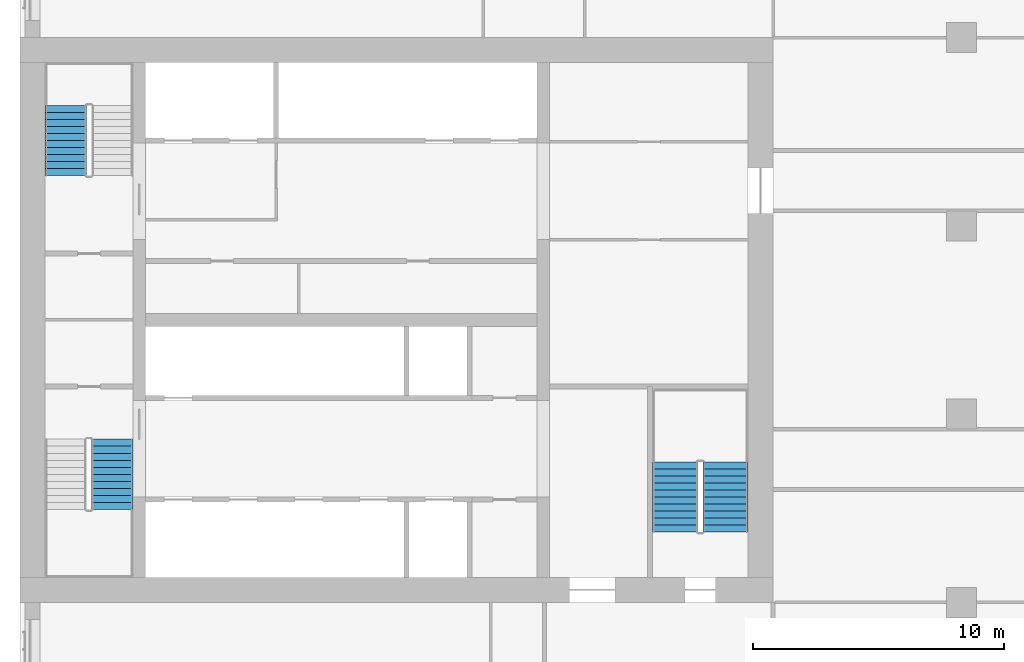
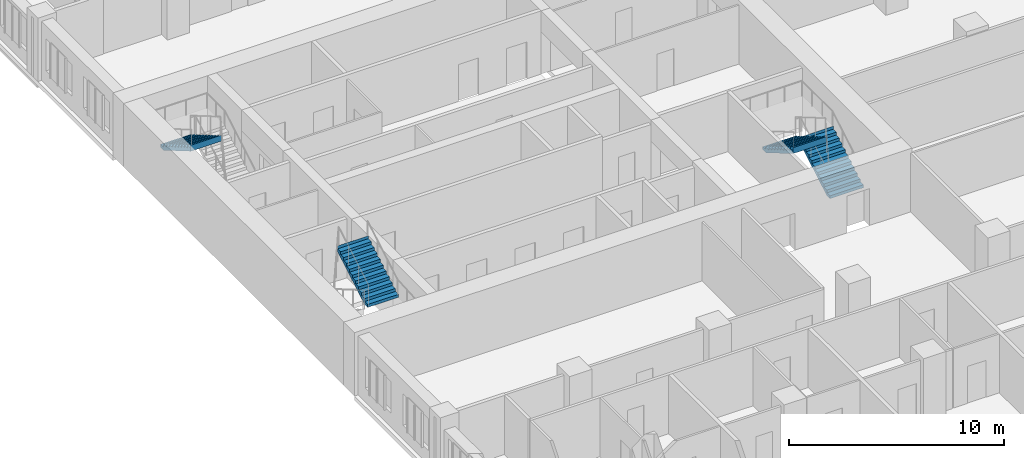
# One storey, part 12 of 14: 4 stair flights, 3 elements without a shape of their own.
"""IFC4 building model written with IfcOpenShell, lengths in metres."""

import ifcopenshell
import ifcopenshell.guid

model = None  # the IFC model being written
_history = None  # IfcOwnerHistory: only IFC2X3 demands one
_inside = {}  # id of a spatial element -> (the spatial element, [elements in it])
_under = {}  # id of a project, library or spatial element -> (it, [spatial elements below it])
_declared = {}  # id of a project -> (the project, [libraries it declares])
_typed = {}  # id of a type object -> (the type object, [elements of that type])
_made_of = {}  # id of a material, layer set ... -> (it, [elements and type objects made of it])


def new_model(schema):
    """Start an empty IFC model of exactly this schema.

    Asked for "IFC4X3", IfcOpenShell would pick the latest addendum, in which some entities
    have other attributes; the version numbers below select the first issue.
    IFC2X3 requires an IfcOwnerHistory on every rooted entity: one is made here for all.
    """
    global model, _history
    if schema == "IFC4X3":
        model = ifcopenshell.file(schema_version=(4, 3, 0, 0))
    else:
        model = ifcopenshell.file(schema=schema)
    _inside.clear()
    _under.clear()
    _declared.clear()
    _typed.clear()
    _made_of.clear()
    _history = None
    if model.schema == "IFC2X3":
        org = make("IfcOrganization", Name="unknown")
        user = make(
            "IfcPersonAndOrganization",
            ThePerson=make("IfcPerson", FamilyName="unknown"),
            TheOrganization=org,
        )
        app = make(
            "IfcApplication",
            ApplicationDeveloper=org,
            Version="unknown",
            ApplicationFullName="unknown",
            ApplicationIdentifier="unknown",
        )
        _history = make(
            "IfcOwnerHistory",
            OwningUser=user,
            OwningApplication=app,
            ChangeAction="ADDED",
            CreationDate=0,
        )
    return model


def make(cls, **values):
    """One entity of the class cls with the attributes given. An attribute that is None is left unset."""
    return model.create_entity(
        cls, **{name: value for name, value in values.items() if value is not None}
    )


def rooted(cls, **values):
    """An entity with a GlobalId (a new one), such as an element, a storey or a relation."""
    return make(cls, GlobalId=ifcopenshell.guid.new(), OwnerHistory=_history, **values)


def si_unit(unit_type, name, prefix=None):
    """IfcSIUnit, for example si_unit("LENGTHUNIT", "METRE", prefix="MILLI")."""
    return make("IfcSIUnit", UnitType=unit_type, Prefix=prefix, Name=name)


def assignment(units):
    """IfcUnitAssignment: the units of a project."""
    return None if units is None else make("IfcUnitAssignment", Units=units)


def point(xyz):
    """IfcCartesianPoint."""
    return None if xyz is None else make("IfcCartesianPoint", Coordinates=xyz)


def direction(xyz):
    """IfcDirection."""
    return None if xyz is None else make("IfcDirection", DirectionRatios=xyz)


def frame(location, z_axis=None, x_axis=None):
    """IfcAxis2Placement3D, a coordinate frame: its origin and axes. An axis left out is left unset."""
    return make(
        "IfcAxis2Placement3D",
        Location=point(location),
        Axis=direction(z_axis),
        RefDirection=direction(x_axis),
    )


def origin():
    """The frame at (0, 0, 0) with its axes left unset."""
    return frame((0.0, 0.0, 0.0))


def place(relative_to, where):
    """IfcLocalPlacement: puts the frame where relative to a parent placement (None: the world)."""
    return make(
        "IfcLocalPlacement", PlacementRelTo=relative_to, RelativePlacement=where
    )


def context(
    kind, dimensions, precision=None, world=None, true_north=None, identifier=None
):
    """IfcGeometricRepresentationContext, for example the 3D "Model" context."""
    return make(
        "IfcGeometricRepresentationContext",
        ContextIdentifier=identifier,
        ContextType=kind,
        CoordinateSpaceDimension=dimensions,
        Precision=precision,
        WorldCoordinateSystem=world,
        TrueNorth=true_north,
    )


def subcontext(parent, identifier, kind, view, scale=None):
    """IfcGeometricRepresentationSubContext, for example "Body" below "Model"."""
    return make(
        "IfcGeometricRepresentationSubContext",
        ContextIdentifier=identifier,
        ContextType=kind,
        ParentContext=parent,
        TargetScale=scale,
        TargetView=view,
    )


def project(units=None, contexts=None):
    """IfcProject with its units and contexts."""
    return rooted(
        "IfcProject",
        Name="project",
        RepresentationContexts=contexts,
        UnitsInContext=assignment(units),
    )


def spatial(cls, under=None, at=None, **own):
    """A site, building, storey or space (cls), placed at a placement, below another one or the project."""
    s = rooted(cls, ObjectPlacement=at, **own)
    if under is not None:
        _under.setdefault(under.id(), (under, []))[1].append(s)
    return s


def polyline(points):
    """IfcPolyline through the points."""
    return make("IfcPolyline", Points=[point(p) for p in points])


def outline(outer, holes=None, kind="AREA"):
    """IfcArbitraryClosedProfileDef: a profile drawn as a closed curve; with holes, ...WithVoids."""
    if holes is None:
        return make("IfcArbitraryClosedProfileDef", ProfileType=kind, OuterCurve=outer)
    return make(
        "IfcArbitraryProfileDefWithVoids",
        ProfileType=kind,
        OuterCurve=outer,
        InnerCurves=holes,
    )


def extrude(swept, where, along, depth):
    """IfcExtrudedAreaSolid: the profile swept, set in the frame where, extruded along a direction by depth."""
    return make(
        "IfcExtrudedAreaSolid",
        SweptArea=swept,
        Position=where,
        ExtrudedDirection=direction(along),
        Depth=depth,
    )


def shape(context_of_items, identifier, shape_type, items):
    """IfcShapeRepresentation: the items that make up one representation, for example the "Body"."""
    return make(
        "IfcShapeRepresentation",
        ContextOfItems=context_of_items,
        RepresentationIdentifier=identifier,
        RepresentationType=shape_type,
        Items=items,
    )


def material(Name=None, Category=None):
    """IfcMaterial."""
    return make("IfcMaterial", Name=Name, Category=Category)


def made_of(thing, what):
    """Note that an element or type object is made of a material, layer set ...; save() writes the relation."""
    if what is not None:
        _made_of.setdefault(what.id(), (what, []))[1].append(thing)
    return thing


def type_object(cls, material=None, **own):
    """A type object (cls), such as IfcWallType, which elements share."""
    return made_of(rooted(cls, **own), material)


def element(
    cls,
    number,
    at=None,
    inside=None,
    cuts=None,
    type_object=None,
    material=None,
    context=None,
    identifier="Body",
    shape_type=None,
    held_by="IfcProductDefinitionShape",
    body=None,
    shapes=None,
    **own,
):
    """One element of the class cls, such as IfcWall. Its Tag is "e" and its number.

    at: its placement. inside: the storey or other place that contains it. cuts: it is an
    opening in that element (IfcRelVoidsElement). A single representation is given by context,
    identifier, shape_type and body (its items); several are given by shapes. held_by: the class
    of the entity that holds the representations. save() writes the other relations.
    """
    e = rooted(cls, Tag="e%d" % number, ObjectPlacement=at, **own)
    if body is not None:
        shapes = [shape(context, identifier, shape_type, body)]
    if shapes is not None:
        e.Representation = make(held_by, Representations=shapes)
    if inside is not None:
        _inside.setdefault(inside.id(), (inside, []))[1].append(e)
    if cuts is not None:
        rooted(
            "IfcRelVoidsElement", RelatingBuildingElement=cuts, RelatedOpeningElement=e
        )
    if type_object is not None:
        _typed.setdefault(type_object.id(), (type_object, []))[1].append(e)
    return made_of(e, material)


def aggregate(whole, parts):
    """IfcRelAggregates: a whole, such as a stair, and the parts it consists of."""
    return rooted("IfcRelAggregates", RelatingObject=whole, RelatedObjects=parts)


def save(model, path):
    """Write the relations noted so far, then the file.

    IfcRelAggregates (storeys below a building ...), IfcRelContainedInSpatialStructure (elements
    in a storey), IfcRelDefinesByType, IfcRelAssociatesMaterial and IfcRelDeclares: one each for
    every whole, place, type object, material and project.
    """
    for whole, parts in _under.values():
        aggregate(whole, parts)
    for where, things in _inside.values():
        rooted(
            "IfcRelContainedInSpatialStructure",
            RelatedElements=things,
            RelatingStructure=where,
        )
    for kind, things in _typed.values():
        rooted("IfcRelDefinesByType", RelatedObjects=things, RelatingType=kind)
    for what, things in _made_of.values():
        rooted("IfcRelAssociatesMaterial", RelatedObjects=things, RelatingMaterial=what)
    for by, libraries in _declared.values():
        rooted("IfcRelDeclares", RelatingContext=by, RelatedDefinitions=libraries)
    model.write(path)


model = new_model("IFC4")

# Units and contexts
model_context = context("Model", 3, precision=1e-05, world=origin(), true_north=direction((0.0, 1.0)))
body_context = subcontext(model_context, "Body", "Model", "MODEL_VIEW")
ifc_project = project(units=[si_unit("LENGTHUNIT", "METRE"), si_unit("AREAUNIT", "SQUARE_METRE"), si_unit("VOLUMEUNIT", "CUBIC_METRE"), si_unit("PLANEANGLEUNIT", "RADIAN"), si_unit("MASSUNIT", "GRAM", prefix="KILO")], contexts=[model_context])

# Site, building, storey
site_placement = place(None, origin())
site = spatial("IfcSite", under=ifc_project, at=site_placement, CompositionType="ELEMENT")
building_placement = place(site_placement, origin())
building = spatial("IfcBuilding", under=site, at=building_placement, Name="Tamorin Gate", CompositionType="ELEMENT")
storey_placement = place(building_placement, frame((0.0, 0.0, 66.39990234375)))
storey = spatial("IfcBuildingStorey", under=building, at=storey_placement, Name="L15", CompositionType="ELEMENT", Elevation=66.39990234375)

# Stair, stair flight
ifc_material = material(Name="Concrete C40/50", Category="concrete")
stair_type = type_object("IfcStairType", Name="Exit stair", PredefinedType="HALF_TURN_STAIR", material=ifc_material)
stair_1_placement = place(storey_placement, origin())
stair_1 = element("IfcStair", 1, at=stair_1_placement, inside=storey, type_object=stair_type, Name="L15 stair ST1", PredefinedType="HALF_TURN_STAIR")
stair_flight_type = type_object("IfcStairFlightType", Name="Exit stair flight", PredefinedType="STRAIGHT", material=ifc_material)
stair_flight_1_placement = place(storey_placement, frame((33.675048828125, 63.699951171875, 1.800048828125), z_axis=(0.0, 0.0, 1.0), x_axis=(0.0, 1.0, 0.0)))
stair_flight_1 = element("IfcStairFlight", 2, at=stair_flight_1_placement, type_object=stair_flight_type, Name="ST1 flight 2", NumberOfRisers=11, NumberOfTreads=10, PredefinedType="STRAIGHT", RiserHeight=0.163636364, TreadLength=0.28, context=body_context, shape_type="SweptSolid", body=[
    extrude(outline(polyline([(-0.00048828125, 0.0), (-0.00048828125, 0.001708984375), (-0.00048828125, 0.003173828125), (-0.00048828125, 0.0048828125), (-0.00048828125, 0.006591796875), (-0.00048828125, 0.008056640625), (-0.00048828125, 0.009765625), (-0.00048828125, 0.01123046875), (-0.00048828125, 0.012939453125), (-0.00048828125, 0.0146484375), (-0.00048828125, 0.01611328125), (-0.00048828125, 0.017822265625), (-0.00048828125, 0.01953125), (-0.00048828125, 0.02099609375), (-0.00048828125, 0.022705078125), (-0.00048828125, 0.0244140625), (-0.00048828125, 0.02587890625), (-0.00048828125, 0.027587890625), (-0.00048828125, 0.029052734375), (-0.00048828125, 0.03076171875), (-0.00048828125, 0.032470703125), (-0.00048828125, 0.033935546875), (-0.00048828125, 0.03564453125), (-0.00048828125, 0.037353515625), (-0.00048828125, 0.038818359375), (-0.00048828125, 0.04052734375), (-0.00048828125, 0.042236328125), (-0.00048828125, 0.043701171875), (-0.00048828125, 0.04541015625), (-0.00048828125, 0.046875), (-0.00048828125, 0.048583984375), (-0.00048828125, 0.05029296875), (-0.00048828125, 0.0517578125), (-0.00048828125, 0.053466796875), (-0.00048828125, 0.05517578125), (-0.00048828125, 0.056640625), (-0.00048828125, 0.058349609375), (-0.00048828125, 0.06005859375), (-0.00048828125, 0.0615234375), (-0.00048828125, 0.063232421875), (-0.00048828125, 0.064697265625), (-0.00048828125, 0.06640625), (-0.00048828125, 0.068115234375), (-0.00048828125, 0.069580078125), (-0.00048828125, 0.0712890625), (-0.00048828125, 0.072998046875), (-0.00048828125, 0.074462890625), (-0.00048828125, 0.076171875), (-0.00048828125, 0.077880859375), (-0.00048828125, 0.079345703125), (-0.00048828125, 0.0810546875), (-0.00048828125, 0.08251953125), (-0.00048828125, 0.084228515625), (-0.00048828125, 0.0859375), (-0.00048828125, 0.08740234375), (-0.00048828125, 0.089111328125), (-0.00048828125, 0.0908203125), (-0.00048828125, 0.09228515625), (-0.00048828125, 0.093994140625), (-0.00048828125, 0.095703125), (-0.00048828125, 0.09716796875), (-0.00048828125, 0.098876953125), (-0.00048828125, 0.100341796875), (-0.00048828125, 0.10205078125), (-0.00048828125, 0.103759765625), (-0.00048828125, 0.105224609375), (-0.00048828125, 0.10693359375), (-0.00048828125, 0.108642578125), (-0.00048828125, 0.110107421875), (-0.00048828125, 0.11181640625), (-0.00048828125, 0.113525390625), (-0.00048828125, 0.114990234375), (-0.00048828125, 0.11669921875), (-0.00048828125, 0.1181640625), (-0.00048828125, 0.119873046875), (-0.00048828125, 0.12158203125), (-0.00048828125, 0.123046875), (-0.00048828125, 0.124755859375), (-0.00048828125, 0.12646484375), (-0.00048828125, 0.1279296875), (-0.00048828125, 0.129638671875), (-0.00048828125, 0.13134765625), (-0.00048828125, 0.1328125), (-0.00048828125, 0.134521484375), (-0.00048828125, 0.135986328125), (-0.00048828125, 0.1376953125), (-0.00048828125, 0.139404296875), (-0.00048828125, 0.140869140625), (-0.00048828125, 0.142578125), (-0.00048828125, 0.144287109375), (-0.00048828125, 0.145751953125), (-0.00048828125, 0.1474609375), (-0.00048828125, 0.149169921875), (-0.00048828125, 0.150634765625), (-0.00048828125, 0.15234375), (-0.00048828125, 0.15380859375), (-0.00048828125, 0.155517578125), (-0.00048828125, 0.1572265625), (-0.00048828125, 0.15869140625), (-0.00048828125, 0.160400390625), (-0.00048828125, 0.162109375), (-0.00048828125, 0.16357421875), (0.280029296875, 0.16357421875), (0.280029296875, 0.327392578125), (0.56005859375, 0.327392578125), (0.56005859375, 0.490966796875), (0.840087890625, 0.490966796875), (0.840087890625, 0.654541015625), (1.1201171875, 0.654541015625), (1.1201171875, 0.818115234375), (1.39990234375, 0.818115234375), (1.39990234375, 0.98193359375), (1.679931640625, 0.98193359375), (1.679931640625, 1.1455078125), (1.9599609375, 1.1455078125), (1.9599609375, 1.30908203125), (2.239990234375, 1.30908203125), (2.239990234375, 1.47265625), (2.52001953125, 1.47265625), (2.52001953125, 1.636474609375), (2.800048828125, 1.636474609375), (2.800048828125, 1.800048828125), (2.800537109375, 1.800048828125), (2.800537109375, 1.796630859375), (2.800537109375, 1.793212890625), (2.800537109375, 1.7900390625), (2.800537109375, 1.78662109375), (2.800537109375, 1.783203125), (2.800537109375, 1.780029296875), (2.800537109375, 1.776611328125), (2.800537109375, 1.773193359375), (2.800537109375, 1.77001953125), (2.800537109375, 1.7666015625), (2.800537109375, 1.76318359375), (2.800537109375, 1.760009765625), (2.800537109375, 1.756591796875), (2.800537109375, 1.753173828125), (2.800537109375, 1.75), (2.800537109375, 1.74658203125), (2.800537109375, 1.7431640625), (2.800537109375, 1.739990234375), (2.800537109375, 1.736572265625), (2.800537109375, 1.733154296875), (2.800537109375, 1.72998046875), (2.800537109375, 1.7265625), (2.800537109375, 1.72314453125), (2.800537109375, 1.719970703125), (2.800537109375, 1.716552734375), (2.800537109375, 1.713134765625), (2.800537109375, 1.7099609375), (2.800537109375, 1.70654296875), (2.800537109375, 1.703125), (2.800537109375, 1.69970703125), (2.800537109375, 1.696533203125), (2.800537109375, 1.693115234375), (2.800537109375, 1.689697265625), (2.800537109375, 1.6865234375), (2.800537109375, 1.68310546875), (2.800537109375, 1.6796875), (2.800537109375, 1.676513671875), (2.800537109375, 1.673095703125), (2.800537109375, 1.669677734375), (2.800537109375, 1.66650390625), (2.800537109375, 1.6630859375), (2.800537109375, 1.65966796875), (2.800537109375, 1.656494140625), (2.800537109375, 1.653076171875), (2.800537109375, 1.649658203125), (2.800537109375, 1.646484375), (2.800537109375, 1.64306640625), (2.800537109375, 1.6396484375), (2.800537109375, 1.636474609375), (2.800537109375, 1.633056640625), (2.800537109375, 1.629638671875), (2.800537109375, 1.62646484375), (2.800537109375, 1.623046875), (2.800537109375, 1.61962890625), (2.800537109375, 1.616455078125), (2.800537109375, 1.613037109375), (2.800537109375, 1.609619140625), (2.800537109375, 1.6064453125), (2.800537109375, 1.60302734375), (2.800537109375, 1.599609375), (2.800537109375, 1.59619140625), (2.800537109375, 1.593017578125), (2.800537109375, 1.589599609375), (2.800537109375, 1.586181640625), (2.800537109375, 1.5830078125), (2.800537109375, 1.57958984375), (2.800537109375, 1.576171875), (2.800537109375, 1.572998046875), (2.800537109375, 1.569580078125), (2.800537109375, 1.566162109375), (2.800537109375, 1.56298828125), (2.800537109375, 1.5595703125), (2.800537109375, 1.55615234375), (2.800537109375, 1.552978515625), (2.800537109375, 1.549560546875), (2.800537109375, 1.546142578125), (2.800537109375, 1.54296875), (2.800537109375, 1.53955078125), (2.800537109375, 1.5361328125), (2.800537109375, 1.532958984375), (2.800537109375, 1.529541015625), (2.800537109375, 1.526123046875), (2.800537109375, 1.52294921875), (2.800537109375, 1.51953125), (2.800537109375, 1.51611328125), (2.800537109375, 1.512939453125), (2.800537109375, 1.509521484375), (2.800537109375, 1.506103515625), (2.800537109375, 1.5029296875), (2.800537109375, 1.49951171875), (2.800537109375, 1.49609375), (2.800537109375, 1.49267578125), (2.800537109375, 1.489501953125), (2.800537109375, 1.486083984375), (2.800537109375, 1.482666015625), (2.800537109375, 1.4794921875), (2.800537109375, 1.47607421875), (2.800537109375, 1.47265625), (2.800537109375, 1.469482421875), (2.800537109375, 1.466064453125), (2.800537109375, 1.462646484375), (2.800048828125, 1.462646484375), (0.297119140625, 0.0), (-0.00048828125, 0.0)])), frame((0.0, 0.824951171875, 0.0), z_axis=(0.0, -1.0, 0.0), x_axis=(1.0, 0.0, 0.0)), (0.0, 0.0, 1.0), 1.64990234375),
])
aggregate(stair_1, [stair_flight_1])

stair_2_placement = place(storey_placement, origin())
stair_2 = element("IfcStair", 3, at=stair_2_placement, inside=storey, type_object=stair_type, Name="L15 stair ST2", PredefinedType="HALF_TURN_STAIR")
stair_flight_2_placement = place(storey_placement, frame((31.824951171875, 79.800048828125, 1.800048828125), z_axis=(0.0, 0.0, 1.0), x_axis=(0.0, -1.0, 0.0)))
stair_flight_2 = element("IfcStairFlight", 4, at=stair_flight_2_placement, type_object=stair_flight_type, Name="ST2 flight 2", NumberOfRisers=11, NumberOfTreads=10, PredefinedType="STRAIGHT", RiserHeight=0.163636364, TreadLength=0.28, context=body_context, shape_type="SweptSolid", body=[
    extrude(outline(polyline([(-0.00048828125, 0.0), (-0.00048828125, 0.001708984375), (-0.00048828125, 0.003173828125), (-0.00048828125, 0.0048828125), (-0.00048828125, 0.006591796875), (-0.00048828125, 0.008056640625), (-0.00048828125, 0.009765625), (-0.00048828125, 0.01123046875), (-0.00048828125, 0.012939453125), (-0.00048828125, 0.0146484375), (-0.00048828125, 0.01611328125), (-0.00048828125, 0.017822265625), (-0.00048828125, 0.01953125), (-0.00048828125, 0.02099609375), (-0.00048828125, 0.022705078125), (-0.00048828125, 0.0244140625), (-0.00048828125, 0.02587890625), (-0.00048828125, 0.027587890625), (-0.00048828125, 0.029052734375), (-0.00048828125, 0.03076171875), (-0.00048828125, 0.032470703125), (-0.00048828125, 0.033935546875), (-0.00048828125, 0.03564453125), (-0.00048828125, 0.037353515625), (-0.00048828125, 0.038818359375), (-0.00048828125, 0.04052734375), (-0.00048828125, 0.042236328125), (-0.00048828125, 0.043701171875), (-0.00048828125, 0.04541015625), (-0.00048828125, 0.046875), (-0.00048828125, 0.048583984375), (-0.00048828125, 0.05029296875), (-0.00048828125, 0.0517578125), (-0.00048828125, 0.053466796875), (-0.00048828125, 0.05517578125), (-0.00048828125, 0.056640625), (-0.00048828125, 0.058349609375), (-0.00048828125, 0.06005859375), (-0.00048828125, 0.0615234375), (-0.00048828125, 0.063232421875), (-0.00048828125, 0.064697265625), (-0.00048828125, 0.06640625), (-0.00048828125, 0.068115234375), (-0.00048828125, 0.069580078125), (-0.00048828125, 0.0712890625), (-0.00048828125, 0.072998046875), (-0.00048828125, 0.074462890625), (-0.00048828125, 0.076171875), (-0.00048828125, 0.077880859375), (-0.00048828125, 0.079345703125), (-0.00048828125, 0.0810546875), (-0.00048828125, 0.08251953125), (-0.00048828125, 0.084228515625), (-0.00048828125, 0.0859375), (-0.00048828125, 0.08740234375), (-0.00048828125, 0.089111328125), (-0.00048828125, 0.0908203125), (-0.00048828125, 0.09228515625), (-0.00048828125, 0.093994140625), (-0.00048828125, 0.095703125), (-0.00048828125, 0.09716796875), (-0.00048828125, 0.098876953125), (-0.00048828125, 0.100341796875), (-0.00048828125, 0.10205078125), (-0.00048828125, 0.103759765625), (-0.00048828125, 0.105224609375), (-0.00048828125, 0.10693359375), (-0.00048828125, 0.108642578125), (-0.00048828125, 0.110107421875), (-0.00048828125, 0.11181640625), (-0.00048828125, 0.113525390625), (-0.00048828125, 0.114990234375), (-0.00048828125, 0.11669921875), (-0.00048828125, 0.1181640625), (-0.00048828125, 0.119873046875), (-0.00048828125, 0.12158203125), (-0.00048828125, 0.123046875), (-0.00048828125, 0.124755859375), (-0.00048828125, 0.12646484375), (-0.00048828125, 0.1279296875), (-0.00048828125, 0.129638671875), (-0.00048828125, 0.13134765625), (-0.00048828125, 0.1328125), (-0.00048828125, 0.134521484375), (-0.00048828125, 0.135986328125), (-0.00048828125, 0.1376953125), (-0.00048828125, 0.139404296875), (-0.00048828125, 0.140869140625), (-0.00048828125, 0.142578125), (-0.00048828125, 0.144287109375), (-0.00048828125, 0.145751953125), (-0.00048828125, 0.1474609375), (-0.00048828125, 0.149169921875), (-0.00048828125, 0.150634765625), (-0.00048828125, 0.15234375), (-0.00048828125, 0.15380859375), (-0.00048828125, 0.155517578125), (-0.00048828125, 0.1572265625), (-0.00048828125, 0.15869140625), (-0.00048828125, 0.160400390625), (-0.00048828125, 0.162109375), (-0.00048828125, 0.16357421875), (0.280029296875, 0.16357421875), (0.280029296875, 0.327392578125), (0.56005859375, 0.327392578125), (0.56005859375, 0.490966796875), (0.840087890625, 0.490966796875), (0.840087890625, 0.654541015625), (1.1201171875, 0.654541015625), (1.1201171875, 0.818115234375), (1.39990234375, 0.818115234375), (1.39990234375, 0.98193359375), (1.679931640625, 0.98193359375), (1.679931640625, 1.1455078125), (1.9599609375, 1.1455078125), (1.9599609375, 1.30908203125), (2.239990234375, 1.30908203125), (2.239990234375, 1.47265625), (2.52001953125, 1.47265625), (2.52001953125, 1.636474609375), (2.800048828125, 1.636474609375), (2.800048828125, 1.800048828125), (2.800537109375, 1.800048828125), (2.800537109375, 1.796630859375), (2.800537109375, 1.793212890625), (2.800537109375, 1.7900390625), (2.800537109375, 1.78662109375), (2.800537109375, 1.783203125), (2.800537109375, 1.780029296875), (2.800537109375, 1.776611328125), (2.800537109375, 1.773193359375), (2.800537109375, 1.77001953125), (2.800537109375, 1.7666015625), (2.800537109375, 1.76318359375), (2.800537109375, 1.760009765625), (2.800537109375, 1.756591796875), (2.800537109375, 1.753173828125), (2.800537109375, 1.75), (2.800537109375, 1.74658203125), (2.800537109375, 1.7431640625), (2.800537109375, 1.739990234375), (2.800537109375, 1.736572265625), (2.800537109375, 1.733154296875), (2.800537109375, 1.72998046875), (2.800537109375, 1.7265625), (2.800537109375, 1.72314453125), (2.800537109375, 1.719970703125), (2.800537109375, 1.716552734375), (2.800537109375, 1.713134765625), (2.800537109375, 1.7099609375), (2.800537109375, 1.70654296875), (2.800537109375, 1.703125), (2.800537109375, 1.69970703125), (2.800537109375, 1.696533203125), (2.800537109375, 1.693115234375), (2.800537109375, 1.689697265625), (2.800537109375, 1.6865234375), (2.800537109375, 1.68310546875), (2.800537109375, 1.6796875), (2.800537109375, 1.676513671875), (2.800537109375, 1.673095703125), (2.800537109375, 1.669677734375), (2.800537109375, 1.66650390625), (2.800537109375, 1.6630859375), (2.800537109375, 1.65966796875), (2.800537109375, 1.656494140625), (2.800537109375, 1.653076171875), (2.800537109375, 1.649658203125), (2.800537109375, 1.646484375), (2.800537109375, 1.64306640625), (2.800537109375, 1.6396484375), (2.800537109375, 1.636474609375), (2.800537109375, 1.633056640625), (2.800537109375, 1.629638671875), (2.800537109375, 1.62646484375), (2.800537109375, 1.623046875), (2.800537109375, 1.61962890625), (2.800537109375, 1.616455078125), (2.800537109375, 1.613037109375), (2.800537109375, 1.609619140625), (2.800537109375, 1.6064453125), (2.800537109375, 1.60302734375), (2.800537109375, 1.599609375), (2.800537109375, 1.59619140625), (2.800537109375, 1.593017578125), (2.800537109375, 1.589599609375), (2.800537109375, 1.586181640625), (2.800537109375, 1.5830078125), (2.800537109375, 1.57958984375), (2.800537109375, 1.576171875), (2.800537109375, 1.572998046875), (2.800537109375, 1.569580078125), (2.800537109375, 1.566162109375), (2.800537109375, 1.56298828125), (2.800537109375, 1.5595703125), (2.800537109375, 1.55615234375), (2.800537109375, 1.552978515625), (2.800537109375, 1.549560546875), (2.800537109375, 1.546142578125), (2.800537109375, 1.54296875), (2.800537109375, 1.53955078125), (2.800537109375, 1.5361328125), (2.800537109375, 1.532958984375), (2.800537109375, 1.529541015625), (2.800537109375, 1.526123046875), (2.800537109375, 1.52294921875), (2.800537109375, 1.51953125), (2.800537109375, 1.51611328125), (2.800537109375, 1.512939453125), (2.800537109375, 1.509521484375), (2.800537109375, 1.506103515625), (2.800537109375, 1.5029296875), (2.800537109375, 1.49951171875), (2.800537109375, 1.49609375), (2.800537109375, 1.49267578125), (2.800537109375, 1.489501953125), (2.800537109375, 1.486083984375), (2.800537109375, 1.482666015625), (2.800537109375, 1.4794921875), (2.800537109375, 1.47607421875), (2.800537109375, 1.47265625), (2.800537109375, 1.469482421875), (2.800537109375, 1.466064453125), (2.800537109375, 1.462646484375), (2.800048828125, 1.462646484375), (0.297119140625, 0.0), (-0.00048828125, 0.0)])), frame((0.0, 0.824951171875, 0.0), z_axis=(0.0, -1.0, 0.0), x_axis=(1.0, 0.0, 0.0)), (0.0, 0.0, 1.0), 1.64990234375),
])
aggregate(stair_2, [stair_flight_2])

# Stair, stair flights
stair_3_placement = place(storey_placement, origin())
stair_3 = element("IfcStair", 5, at=stair_3_placement, inside=storey, type_object=stair_type, Name="L15 stair ST3", PredefinedType="HALF_TURN_STAIR")
stair_flight_3_placement = place(storey_placement, frame((58.10009765625, 62.800048828125, 0.0), z_axis=(0.0, 0.0, 1.0), x_axis=(0.0, 1.0, 0.0)))
stair_flight_3 = element("IfcStairFlight", 6, at=stair_flight_3_placement, type_object=stair_flight_type, Name="ST3 flight 1", NumberOfRisers=11, NumberOfTreads=10, PredefinedType="STRAIGHT", RiserHeight=0.163636364, TreadLength=0.28, context=body_context, shape_type="SweptSolid", body=[
    extrude(outline(polyline([(-0.00048828125, 0.0), (-0.00048828125, 0.001708984375), (-0.00048828125, 0.003173828125), (-0.00048828125, 0.0048828125), (-0.00048828125, 0.006591796875), (-0.00048828125, 0.008056640625), (-0.00048828125, 0.009765625), (-0.00048828125, 0.01123046875), (-0.00048828125, 0.012939453125), (-0.00048828125, 0.0146484375), (-0.00048828125, 0.01611328125), (-0.00048828125, 0.017822265625), (-0.00048828125, 0.01953125), (-0.00048828125, 0.02099609375), (-0.00048828125, 0.022705078125), (-0.00048828125, 0.0244140625), (-0.00048828125, 0.02587890625), (-0.00048828125, 0.027587890625), (-0.00048828125, 0.029052734375), (-0.00048828125, 0.03076171875), (-0.00048828125, 0.032470703125), (-0.00048828125, 0.033935546875), (-0.00048828125, 0.03564453125), (-0.00048828125, 0.037353515625), (-0.00048828125, 0.038818359375), (-0.00048828125, 0.04052734375), (-0.00048828125, 0.042236328125), (-0.00048828125, 0.043701171875), (-0.00048828125, 0.04541015625), (-0.00048828125, 0.046875), (-0.00048828125, 0.048583984375), (-0.00048828125, 0.05029296875), (-0.00048828125, 0.0517578125), (-0.00048828125, 0.053466796875), (-0.00048828125, 0.05517578125), (-0.00048828125, 0.056640625), (-0.00048828125, 0.058349609375), (-0.00048828125, 0.06005859375), (-0.00048828125, 0.0615234375), (-0.00048828125, 0.063232421875), (-0.00048828125, 0.064697265625), (-0.00048828125, 0.06640625), (-0.00048828125, 0.068115234375), (-0.00048828125, 0.069580078125), (-0.00048828125, 0.0712890625), (-0.00048828125, 0.072998046875), (-0.00048828125, 0.074462890625), (-0.00048828125, 0.076171875), (-0.00048828125, 0.077880859375), (-0.00048828125, 0.079345703125), (-0.00048828125, 0.0810546875), (-0.00048828125, 0.08251953125), (-0.00048828125, 0.084228515625), (-0.00048828125, 0.0859375), (-0.00048828125, 0.08740234375), (-0.00048828125, 0.089111328125), (-0.00048828125, 0.0908203125), (-0.00048828125, 0.09228515625), (-0.00048828125, 0.093994140625), (-0.00048828125, 0.095703125), (-0.00048828125, 0.09716796875), (-0.00048828125, 0.098876953125), (-0.00048828125, 0.100341796875), (-0.00048828125, 0.10205078125), (-0.00048828125, 0.103759765625), (-0.00048828125, 0.105224609375), (-0.00048828125, 0.10693359375), (-0.00048828125, 0.108642578125), (-0.00048828125, 0.110107421875), (-0.00048828125, 0.11181640625), (-0.00048828125, 0.113525390625), (-0.00048828125, 0.114990234375), (-0.00048828125, 0.11669921875), (-0.00048828125, 0.1181640625), (-0.00048828125, 0.119873046875), (-0.00048828125, 0.12158203125), (-0.00048828125, 0.123046875), (-0.00048828125, 0.124755859375), (-0.00048828125, 0.12646484375), (-0.00048828125, 0.1279296875), (-0.00048828125, 0.129638671875), (-0.00048828125, 0.13134765625), (-0.00048828125, 0.1328125), (-0.00048828125, 0.134521484375), (-0.00048828125, 0.135986328125), (-0.00048828125, 0.1376953125), (-0.00048828125, 0.139404296875), (-0.00048828125, 0.140869140625), (-0.00048828125, 0.142578125), (-0.00048828125, 0.144287109375), (-0.00048828125, 0.145751953125), (-0.00048828125, 0.1474609375), (-0.00048828125, 0.149169921875), (-0.00048828125, 0.150634765625), (-0.00048828125, 0.15234375), (-0.00048828125, 0.15380859375), (-0.00048828125, 0.155517578125), (-0.00048828125, 0.1572265625), (-0.00048828125, 0.15869140625), (-0.00048828125, 0.160400390625), (-0.00048828125, 0.162109375), (-0.00048828125, 0.16357421875), (0.280029296875, 0.16357421875), (0.280029296875, 0.327392578125), (0.56005859375, 0.327392578125), (0.56005859375, 0.490966796875), (0.840087890625, 0.490966796875), (0.840087890625, 0.654541015625), (1.1201171875, 0.654541015625), (1.1201171875, 0.818115234375), (1.39990234375, 0.818115234375), (1.39990234375, 0.98193359375), (1.679931640625, 0.98193359375), (1.679931640625, 1.1455078125), (1.9599609375, 1.1455078125), (1.9599609375, 1.30908203125), (2.239990234375, 1.30908203125), (2.239990234375, 1.47265625), (2.52001953125, 1.47265625), (2.52001953125, 1.636474609375), (2.800048828125, 1.636474609375), (2.800048828125, 1.800048828125), (2.800537109375, 1.800048828125), (2.800537109375, 1.796630859375), (2.800537109375, 1.793212890625), (2.800537109375, 1.7900390625), (2.800537109375, 1.78662109375), (2.800537109375, 1.783203125), (2.800537109375, 1.780029296875), (2.800537109375, 1.776611328125), (2.800537109375, 1.773193359375), (2.800537109375, 1.77001953125), (2.800537109375, 1.7666015625), (2.800537109375, 1.76318359375), (2.800537109375, 1.760009765625), (2.800537109375, 1.756591796875), (2.800537109375, 1.753173828125), (2.800537109375, 1.75), (2.800537109375, 1.74658203125), (2.800537109375, 1.7431640625), (2.800537109375, 1.739990234375), (2.800537109375, 1.736572265625), (2.800537109375, 1.733154296875), (2.800537109375, 1.72998046875), (2.800537109375, 1.7265625), (2.800537109375, 1.72314453125), (2.800537109375, 1.719970703125), (2.800537109375, 1.716552734375), (2.800537109375, 1.713134765625), (2.800537109375, 1.7099609375), (2.800537109375, 1.70654296875), (2.800537109375, 1.703125), (2.800537109375, 1.69970703125), (2.800537109375, 1.696533203125), (2.800537109375, 1.693115234375), (2.800537109375, 1.689697265625), (2.800537109375, 1.6865234375), (2.800537109375, 1.68310546875), (2.800537109375, 1.6796875), (2.800537109375, 1.676513671875), (2.800537109375, 1.673095703125), (2.800537109375, 1.669677734375), (2.800537109375, 1.66650390625), (2.800537109375, 1.6630859375), (2.800537109375, 1.65966796875), (2.800537109375, 1.656494140625), (2.800537109375, 1.653076171875), (2.800537109375, 1.649658203125), (2.800537109375, 1.646484375), (2.800537109375, 1.64306640625), (2.800537109375, 1.6396484375), (2.800537109375, 1.636474609375), (2.800537109375, 1.633056640625), (2.800537109375, 1.629638671875), (2.800537109375, 1.62646484375), (2.800537109375, 1.623046875), (2.800537109375, 1.61962890625), (2.800537109375, 1.616455078125), (2.800537109375, 1.613037109375), (2.800537109375, 1.609619140625), (2.800537109375, 1.6064453125), (2.800537109375, 1.60302734375), (2.800537109375, 1.599609375), (2.800537109375, 1.59619140625), (2.800537109375, 1.593017578125), (2.800537109375, 1.589599609375), (2.800537109375, 1.586181640625), (2.800537109375, 1.5830078125), (2.800537109375, 1.57958984375), (2.800537109375, 1.576171875), (2.800537109375, 1.572998046875), (2.800537109375, 1.569580078125), (2.800537109375, 1.566162109375), (2.800537109375, 1.56298828125), (2.800537109375, 1.5595703125), (2.800537109375, 1.55615234375), (2.800537109375, 1.552978515625), (2.800537109375, 1.549560546875), (2.800537109375, 1.546142578125), (2.800537109375, 1.54296875), (2.800537109375, 1.53955078125), (2.800537109375, 1.5361328125), (2.800537109375, 1.532958984375), (2.800537109375, 1.529541015625), (2.800537109375, 1.526123046875), (2.800537109375, 1.52294921875), (2.800537109375, 1.51953125), (2.800537109375, 1.51611328125), (2.800537109375, 1.512939453125), (2.800537109375, 1.509521484375), (2.800537109375, 1.506103515625), (2.800537109375, 1.5029296875), (2.800537109375, 1.49951171875), (2.800537109375, 1.49609375), (2.800537109375, 1.49267578125), (2.800537109375, 1.489501953125), (2.800537109375, 1.486083984375), (2.800537109375, 1.482666015625), (2.800537109375, 1.4794921875), (2.800537109375, 1.47607421875), (2.800537109375, 1.47265625), (2.800537109375, 1.469482421875), (2.800537109375, 1.466064453125), (2.800537109375, 1.462646484375), (2.800048828125, 1.462646484375), (0.297119140625, 0.0), (-0.00048828125, 0.0)])), frame((0.0, 0.89990234375, 0.0), z_axis=(0.0, -1.0, 0.0), x_axis=(1.0, 0.0, 0.0)), (0.0, 0.0, 1.0), 1.800048828125),
])
stair_flight_4_placement = place(storey_placement, frame((56.10009765625, 65.60009765625, 1.800048828125), z_axis=(0.0, 0.0, 1.0), x_axis=(0.0, -1.0, 0.0)))
stair_flight_4 = element("IfcStairFlight", 7, at=stair_flight_4_placement, type_object=stair_flight_type, Name="ST3 flight 2", NumberOfRisers=11, NumberOfTreads=10, PredefinedType="STRAIGHT", RiserHeight=0.163636364, TreadLength=0.28, context=body_context, shape_type="SweptSolid", body=[
    extrude(outline(polyline([(-0.00048828125, 0.0), (-0.00048828125, 0.001708984375), (-0.00048828125, 0.003173828125), (-0.00048828125, 0.0048828125), (-0.00048828125, 0.006591796875), (-0.00048828125, 0.008056640625), (-0.00048828125, 0.009765625), (-0.00048828125, 0.01123046875), (-0.00048828125, 0.012939453125), (-0.00048828125, 0.0146484375), (-0.00048828125, 0.01611328125), (-0.00048828125, 0.017822265625), (-0.00048828125, 0.01953125), (-0.00048828125, 0.02099609375), (-0.00048828125, 0.022705078125), (-0.00048828125, 0.0244140625), (-0.00048828125, 0.02587890625), (-0.00048828125, 0.027587890625), (-0.00048828125, 0.029052734375), (-0.00048828125, 0.03076171875), (-0.00048828125, 0.032470703125), (-0.00048828125, 0.033935546875), (-0.00048828125, 0.03564453125), (-0.00048828125, 0.037353515625), (-0.00048828125, 0.038818359375), (-0.00048828125, 0.04052734375), (-0.00048828125, 0.042236328125), (-0.00048828125, 0.043701171875), (-0.00048828125, 0.04541015625), (-0.00048828125, 0.046875), (-0.00048828125, 0.048583984375), (-0.00048828125, 0.05029296875), (-0.00048828125, 0.0517578125), (-0.00048828125, 0.053466796875), (-0.00048828125, 0.05517578125), (-0.00048828125, 0.056640625), (-0.00048828125, 0.058349609375), (-0.00048828125, 0.06005859375), (-0.00048828125, 0.0615234375), (-0.00048828125, 0.063232421875), (-0.00048828125, 0.064697265625), (-0.00048828125, 0.06640625), (-0.00048828125, 0.068115234375), (-0.00048828125, 0.069580078125), (-0.00048828125, 0.0712890625), (-0.00048828125, 0.072998046875), (-0.00048828125, 0.074462890625), (-0.00048828125, 0.076171875), (-0.00048828125, 0.077880859375), (-0.00048828125, 0.079345703125), (-0.00048828125, 0.0810546875), (-0.00048828125, 0.08251953125), (-0.00048828125, 0.084228515625), (-0.00048828125, 0.0859375), (-0.00048828125, 0.08740234375), (-0.00048828125, 0.089111328125), (-0.00048828125, 0.0908203125), (-0.00048828125, 0.09228515625), (-0.00048828125, 0.093994140625), (-0.00048828125, 0.095703125), (-0.00048828125, 0.09716796875), (-0.00048828125, 0.098876953125), (-0.00048828125, 0.100341796875), (-0.00048828125, 0.10205078125), (-0.00048828125, 0.103759765625), (-0.00048828125, 0.105224609375), (-0.00048828125, 0.10693359375), (-0.00048828125, 0.108642578125), (-0.00048828125, 0.110107421875), (-0.00048828125, 0.11181640625), (-0.00048828125, 0.113525390625), (-0.00048828125, 0.114990234375), (-0.00048828125, 0.11669921875), (-0.00048828125, 0.1181640625), (-0.00048828125, 0.119873046875), (-0.00048828125, 0.12158203125), (-0.00048828125, 0.123046875), (-0.00048828125, 0.124755859375), (-0.00048828125, 0.12646484375), (-0.00048828125, 0.1279296875), (-0.00048828125, 0.129638671875), (-0.00048828125, 0.13134765625), (-0.00048828125, 0.1328125), (-0.00048828125, 0.134521484375), (-0.00048828125, 0.135986328125), (-0.00048828125, 0.1376953125), (-0.00048828125, 0.139404296875), (-0.00048828125, 0.140869140625), (-0.00048828125, 0.142578125), (-0.00048828125, 0.144287109375), (-0.00048828125, 0.145751953125), (-0.00048828125, 0.1474609375), (-0.00048828125, 0.149169921875), (-0.00048828125, 0.150634765625), (-0.00048828125, 0.15234375), (-0.00048828125, 0.15380859375), (-0.00048828125, 0.155517578125), (-0.00048828125, 0.1572265625), (-0.00048828125, 0.15869140625), (-0.00048828125, 0.160400390625), (-0.00048828125, 0.162109375), (-0.00048828125, 0.16357421875), (0.280029296875, 0.16357421875), (0.280029296875, 0.327392578125), (0.56005859375, 0.327392578125), (0.56005859375, 0.490966796875), (0.840087890625, 0.490966796875), (0.840087890625, 0.654541015625), (1.1201171875, 0.654541015625), (1.1201171875, 0.818115234375), (1.39990234375, 0.818115234375), (1.39990234375, 0.98193359375), (1.679931640625, 0.98193359375), (1.679931640625, 1.1455078125), (1.9599609375, 1.1455078125), (1.9599609375, 1.30908203125), (2.239990234375, 1.30908203125), (2.239990234375, 1.47265625), (2.52001953125, 1.47265625), (2.52001953125, 1.636474609375), (2.800048828125, 1.636474609375), (2.800048828125, 1.800048828125), (2.800537109375, 1.800048828125), (2.800537109375, 1.796630859375), (2.800537109375, 1.793212890625), (2.800537109375, 1.7900390625), (2.800537109375, 1.78662109375), (2.800537109375, 1.783203125), (2.800537109375, 1.780029296875), (2.800537109375, 1.776611328125), (2.800537109375, 1.773193359375), (2.800537109375, 1.77001953125), (2.800537109375, 1.7666015625), (2.800537109375, 1.76318359375), (2.800537109375, 1.760009765625), (2.800537109375, 1.756591796875), (2.800537109375, 1.753173828125), (2.800537109375, 1.75), (2.800537109375, 1.74658203125), (2.800537109375, 1.7431640625), (2.800537109375, 1.739990234375), (2.800537109375, 1.736572265625), (2.800537109375, 1.733154296875), (2.800537109375, 1.72998046875), (2.800537109375, 1.7265625), (2.800537109375, 1.72314453125), (2.800537109375, 1.719970703125), (2.800537109375, 1.716552734375), (2.800537109375, 1.713134765625), (2.800537109375, 1.7099609375), (2.800537109375, 1.70654296875), (2.800537109375, 1.703125), (2.800537109375, 1.69970703125), (2.800537109375, 1.696533203125), (2.800537109375, 1.693115234375), (2.800537109375, 1.689697265625), (2.800537109375, 1.6865234375), (2.800537109375, 1.68310546875), (2.800537109375, 1.6796875), (2.800537109375, 1.676513671875), (2.800537109375, 1.673095703125), (2.800537109375, 1.669677734375), (2.800537109375, 1.66650390625), (2.800537109375, 1.6630859375), (2.800537109375, 1.65966796875), (2.800537109375, 1.656494140625), (2.800537109375, 1.653076171875), (2.800537109375, 1.649658203125), (2.800537109375, 1.646484375), (2.800537109375, 1.64306640625), (2.800537109375, 1.6396484375), (2.800537109375, 1.636474609375), (2.800537109375, 1.633056640625), (2.800537109375, 1.629638671875), (2.800537109375, 1.62646484375), (2.800537109375, 1.623046875), (2.800537109375, 1.61962890625), (2.800537109375, 1.616455078125), (2.800537109375, 1.613037109375), (2.800537109375, 1.609619140625), (2.800537109375, 1.6064453125), (2.800537109375, 1.60302734375), (2.800537109375, 1.599609375), (2.800537109375, 1.59619140625), (2.800537109375, 1.593017578125), (2.800537109375, 1.589599609375), (2.800537109375, 1.586181640625), (2.800537109375, 1.5830078125), (2.800537109375, 1.57958984375), (2.800537109375, 1.576171875), (2.800537109375, 1.572998046875), (2.800537109375, 1.569580078125), (2.800537109375, 1.566162109375), (2.800537109375, 1.56298828125), (2.800537109375, 1.5595703125), (2.800537109375, 1.55615234375), (2.800537109375, 1.552978515625), (2.800537109375, 1.549560546875), (2.800537109375, 1.546142578125), (2.800537109375, 1.54296875), (2.800537109375, 1.53955078125), (2.800537109375, 1.5361328125), (2.800537109375, 1.532958984375), (2.800537109375, 1.529541015625), (2.800537109375, 1.526123046875), (2.800537109375, 1.52294921875), (2.800537109375, 1.51953125), (2.800537109375, 1.51611328125), (2.800537109375, 1.512939453125), (2.800537109375, 1.509521484375), (2.800537109375, 1.506103515625), (2.800537109375, 1.5029296875), (2.800537109375, 1.49951171875), (2.800537109375, 1.49609375), (2.800537109375, 1.49267578125), (2.800537109375, 1.489501953125), (2.800537109375, 1.486083984375), (2.800537109375, 1.482666015625), (2.800537109375, 1.4794921875), (2.800537109375, 1.47607421875), (2.800537109375, 1.47265625), (2.800537109375, 1.469482421875), (2.800537109375, 1.466064453125), (2.800537109375, 1.462646484375), (2.800048828125, 1.462646484375), (0.297119140625, 0.0), (-0.00048828125, 0.0)])), frame((0.0, 0.89990234375, 0.0), z_axis=(0.0, -1.0, 0.0), x_axis=(1.0, 0.0, 0.0)), (0.0, 0.0, 1.0), 1.800048828125),
])
aggregate(stair_3, [stair_flight_3, stair_flight_4])

save(model, "model.ifc")
